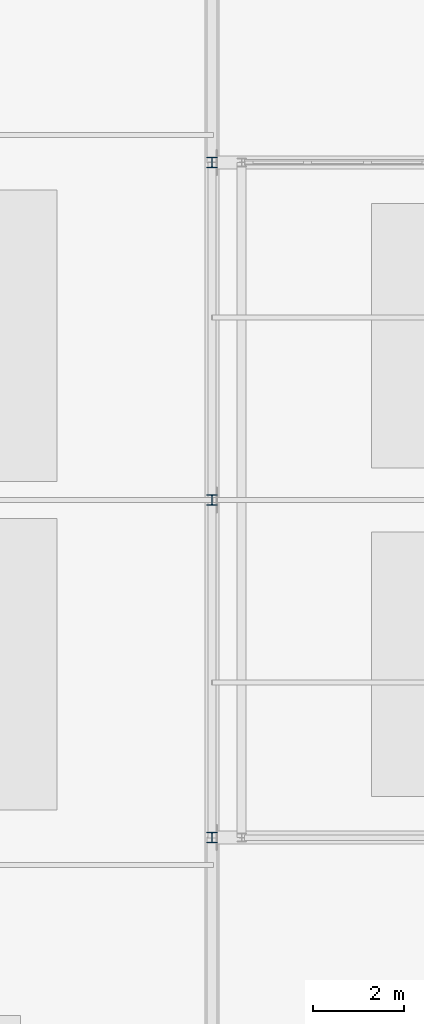
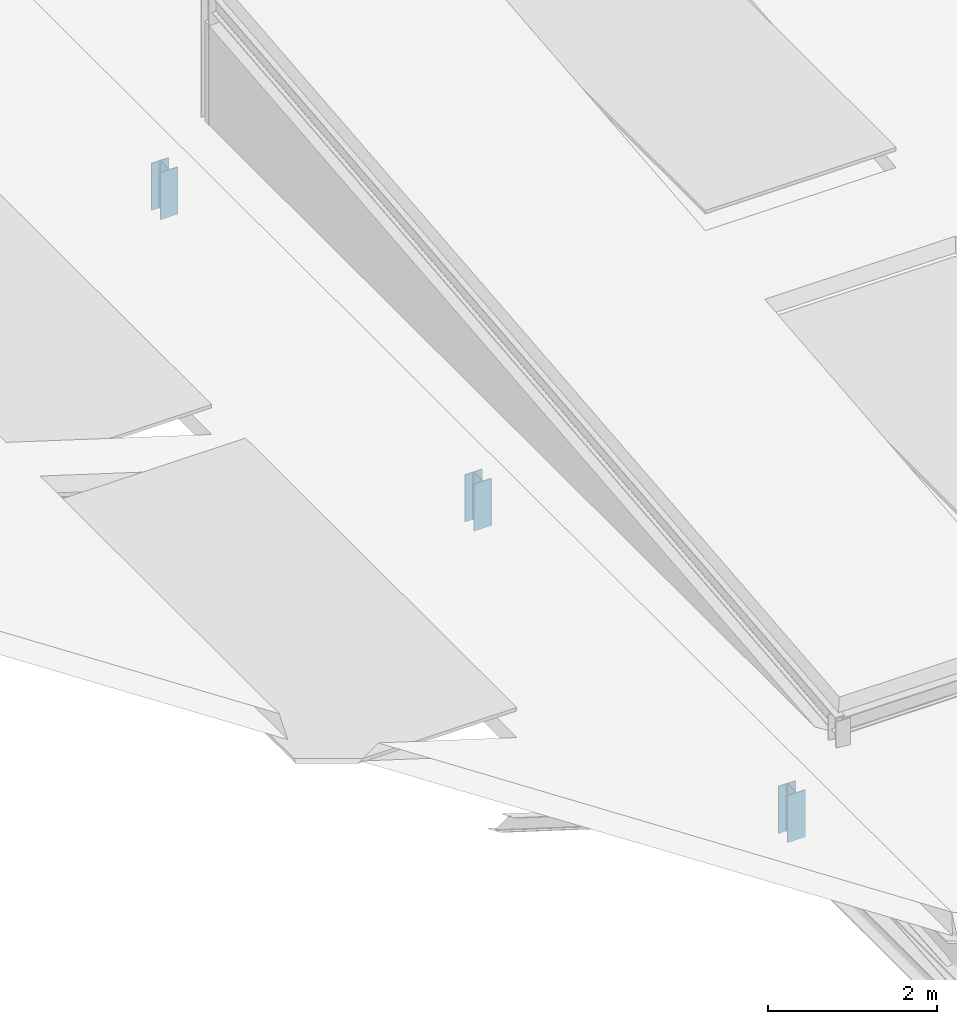
# One storey, part 25 of 30: 3 members.
"""IFC4 building model written with IfcOpenShell, lengths in metres."""

import ifcopenshell
import ifcopenshell.guid

model = None  # the IFC model being written
_history = None  # IfcOwnerHistory: only IFC2X3 demands one
_inside = {}  # id of a spatial element -> (the spatial element, [elements in it])
_under = {}  # id of a project, library or spatial element -> (it, [spatial elements below it])
_declared = {}  # id of a project -> (the project, [libraries it declares])
_typed = {}  # id of a type object -> (the type object, [elements of that type])
_made_of = {}  # id of a material, layer set ... -> (it, [elements and type objects made of it])


def new_model(schema):
    """Start an empty IFC model of exactly this schema.

    Asked for "IFC4X3", IfcOpenShell would pick the latest addendum, in which some entities
    have other attributes; the version numbers below select the first issue.
    IFC2X3 requires an IfcOwnerHistory on every rooted entity: one is made here for all.
    """
    global model, _history
    if schema == "IFC4X3":
        model = ifcopenshell.file(schema_version=(4, 3, 0, 0))
    else:
        model = ifcopenshell.file(schema=schema)
    _inside.clear()
    _under.clear()
    _declared.clear()
    _typed.clear()
    _made_of.clear()
    _history = None
    if model.schema == "IFC2X3":
        org = make("IfcOrganization", Name="unknown")
        user = make(
            "IfcPersonAndOrganization",
            ThePerson=make("IfcPerson", FamilyName="unknown"),
            TheOrganization=org,
        )
        app = make(
            "IfcApplication",
            ApplicationDeveloper=org,
            Version="unknown",
            ApplicationFullName="unknown",
            ApplicationIdentifier="unknown",
        )
        _history = make(
            "IfcOwnerHistory",
            OwningUser=user,
            OwningApplication=app,
            ChangeAction="ADDED",
            CreationDate=0,
        )
    return model


def make(cls, **values):
    """One entity of the class cls with the attributes given. An attribute that is None is left unset."""
    return model.create_entity(
        cls, **{name: value for name, value in values.items() if value is not None}
    )


def rooted(cls, **values):
    """An entity with a GlobalId (a new one), such as an element, a storey or a relation."""
    return make(cls, GlobalId=ifcopenshell.guid.new(), OwnerHistory=_history, **values)


def si_unit(unit_type, name, prefix=None):
    """IfcSIUnit, for example si_unit("LENGTHUNIT", "METRE", prefix="MILLI")."""
    return make("IfcSIUnit", UnitType=unit_type, Prefix=prefix, Name=name)


def assignment(units):
    """IfcUnitAssignment: the units of a project."""
    return None if units is None else make("IfcUnitAssignment", Units=units)


def point(xyz):
    """IfcCartesianPoint."""
    return None if xyz is None else make("IfcCartesianPoint", Coordinates=xyz)


def direction(xyz):
    """IfcDirection."""
    return None if xyz is None else make("IfcDirection", DirectionRatios=xyz)


def frame(location, z_axis=None, x_axis=None):
    """IfcAxis2Placement3D, a coordinate frame: its origin and axes. An axis left out is left unset."""
    return make(
        "IfcAxis2Placement3D",
        Location=point(location),
        Axis=direction(z_axis),
        RefDirection=direction(x_axis),
    )


def frame_2d(location, x_axis=None):
    """IfcAxis2Placement2D, a coordinate frame in the plane: its origin and x axis."""
    return make(
        "IfcAxis2Placement2D", Location=point(location), RefDirection=direction(x_axis)
    )


def origin():
    """The frame at (0, 0, 0) with its axes left unset."""
    return frame((0.0, 0.0, 0.0))


def origin_2d():
    """The frame at (0, 0) in the plane with its x axis left unset."""
    return frame_2d((0.0, 0.0))


def place(relative_to, where):
    """IfcLocalPlacement: puts the frame where relative to a parent placement (None: the world)."""
    return make(
        "IfcLocalPlacement", PlacementRelTo=relative_to, RelativePlacement=where
    )


def context(
    kind, dimensions, precision=None, world=None, true_north=None, identifier=None
):
    """IfcGeometricRepresentationContext, for example the 3D "Model" context."""
    return make(
        "IfcGeometricRepresentationContext",
        ContextIdentifier=identifier,
        ContextType=kind,
        CoordinateSpaceDimension=dimensions,
        Precision=precision,
        WorldCoordinateSystem=world,
        TrueNorth=true_north,
    )


def subcontext(parent, identifier, kind, view, scale=None):
    """IfcGeometricRepresentationSubContext, for example "Body" below "Model"."""
    return make(
        "IfcGeometricRepresentationSubContext",
        ContextIdentifier=identifier,
        ContextType=kind,
        ParentContext=parent,
        TargetScale=scale,
        TargetView=view,
    )


def project(units=None, contexts=None):
    """IfcProject with its units and contexts."""
    return rooted(
        "IfcProject",
        Name="project",
        RepresentationContexts=contexts,
        UnitsInContext=assignment(units),
    )


def spatial(cls, under=None, at=None, **own):
    """A site, building, storey or space (cls), placed at a placement, below another one or the project."""
    s = rooted(cls, ObjectPlacement=at, **own)
    if under is not None:
        _under.setdefault(under.id(), (under, []))[1].append(s)
    return s


def profile(cls, at=None, kind="AREA", **sizes):
    """A parametric profile (cls). Its sizes go by their IFC names, for example OverallWidth=200.0."""
    return make(cls, ProfileType=kind, Position=at, **sizes)


def i_section(**sizes):
    """IfcIShapeProfileDef."""
    return profile("IfcIShapeProfileDef", **sizes)


def extrude(swept, where, along, depth):
    """IfcExtrudedAreaSolid: the profile swept, set in the frame where, extruded along a direction by depth."""
    return make(
        "IfcExtrudedAreaSolid",
        SweptArea=swept,
        Position=where,
        ExtrudedDirection=direction(along),
        Depth=depth,
    )


def shape(context_of_items, identifier, shape_type, items):
    """IfcShapeRepresentation: the items that make up one representation, for example the "Body"."""
    return make(
        "IfcShapeRepresentation",
        ContextOfItems=context_of_items,
        RepresentationIdentifier=identifier,
        RepresentationType=shape_type,
        Items=items,
    )


def material(Name=None, Category=None):
    """IfcMaterial."""
    return make("IfcMaterial", Name=Name, Category=Category)


def material_profile(
    of_material, cross_section, Name=None, Category=None, Priority=None
):
    """IfcMaterialProfile: a cross section and its material."""
    return make(
        "IfcMaterialProfile",
        Name=Name,
        Material=of_material,
        Profile=cross_section,
        Priority=Priority,
        Category=Category,
    )


def profile_set(profiles, Name=None, composite=None):
    """IfcMaterialProfileSet."""
    return make(
        "IfcMaterialProfileSet",
        Name=Name,
        MaterialProfiles=profiles,
        CompositeProfile=composite,
    )


def made_of(thing, what):
    """Note that an element or type object is made of a material, layer set ...; save() writes the relation."""
    if what is not None:
        _made_of.setdefault(what.id(), (what, []))[1].append(thing)
    return thing


def type_object(cls, material=None, **own):
    """A type object (cls), such as IfcWallType, which elements share."""
    return made_of(rooted(cls, **own), material)


def element(
    cls,
    number,
    at=None,
    inside=None,
    cuts=None,
    type_object=None,
    material=None,
    context=None,
    identifier="Body",
    shape_type=None,
    held_by="IfcProductDefinitionShape",
    body=None,
    shapes=None,
    **own,
):
    """One element of the class cls, such as IfcWall. Its Tag is "e" and its number.

    at: its placement. inside: the storey or other place that contains it. cuts: it is an
    opening in that element (IfcRelVoidsElement). A single representation is given by context,
    identifier, shape_type and body (its items); several are given by shapes. held_by: the class
    of the entity that holds the representations. save() writes the other relations.
    """
    e = rooted(cls, Tag="e%d" % number, ObjectPlacement=at, **own)
    if body is not None:
        shapes = [shape(context, identifier, shape_type, body)]
    if shapes is not None:
        e.Representation = make(held_by, Representations=shapes)
    if inside is not None:
        _inside.setdefault(inside.id(), (inside, []))[1].append(e)
    if cuts is not None:
        rooted(
            "IfcRelVoidsElement", RelatingBuildingElement=cuts, RelatedOpeningElement=e
        )
    if type_object is not None:
        _typed.setdefault(type_object.id(), (type_object, []))[1].append(e)
    return made_of(e, material)


def aggregate(whole, parts):
    """IfcRelAggregates: a whole, such as a stair, and the parts it consists of."""
    return rooted("IfcRelAggregates", RelatingObject=whole, RelatedObjects=parts)


def save(model, path):
    """Write the relations noted so far, then the file.

    IfcRelAggregates (storeys below a building ...), IfcRelContainedInSpatialStructure (elements
    in a storey), IfcRelDefinesByType, IfcRelAssociatesMaterial and IfcRelDeclares: one each for
    every whole, place, type object, material and project.
    """
    for whole, parts in _under.values():
        aggregate(whole, parts)
    for where, things in _inside.values():
        rooted(
            "IfcRelContainedInSpatialStructure",
            RelatedElements=things,
            RelatingStructure=where,
        )
    for kind, things in _typed.values():
        rooted("IfcRelDefinesByType", RelatedObjects=things, RelatingType=kind)
    for what, things in _made_of.values():
        rooted("IfcRelAssociatesMaterial", RelatedObjects=things, RelatingMaterial=what)
    for by, libraries in _declared.values():
        rooted("IfcRelDeclares", RelatingContext=by, RelatedDefinitions=libraries)
    model.write(path)


model = new_model("IFC4")

# Units and contexts
model_context = context("Model", 3, precision=1e-05, world=origin(), true_north=direction((0.0, 1.0)))
body_context = subcontext(model_context, "Body", "Model", "MODEL_VIEW")
ifc_project = project(units=[si_unit("LENGTHUNIT", "METRE"), si_unit("AREAUNIT", "SQUARE_METRE"), si_unit("VOLUMEUNIT", "CUBIC_METRE"), si_unit("PLANEANGLEUNIT", "RADIAN"), si_unit("MASSUNIT", "GRAM", prefix="KILO")], contexts=[model_context])

# Site, building, storey
site_placement = place(None, origin())
site = spatial("IfcSite", under=ifc_project, at=site_placement, CompositionType="ELEMENT")
building_placement = place(site_placement, origin())
building = spatial("IfcBuilding", under=site, at=building_placement, Name="Alderhovde Museum", CompositionType="ELEMENT")
storey_placement = place(building_placement, frame((0.0, 0.0, 30.699951171875)))
storey = spatial("IfcBuildingStorey", under=building, at=storey_placement, Name="RF", CompositionType="ELEMENT", Elevation=30.699951171875)

# Members
ifc_material = material(Name="Steel S355J2", Category="steel")
ifc_material_profile = material_profile(ifc_material, i_section(OverallWidth=0.239990234375, OverallDepth=0.22998046875, WebThickness=0.007568359375, FlangeThickness=0.011962890625, FilletRadius=0.02099609375, at=origin_2d()), Name="HEA 240")
ifc_profile_set = profile_set([ifc_material_profile], Name="Steel S355J2")
member_type = type_object("IfcMemberType", Name="TR-PS-HEA240", PredefinedType="POST", material=ifc_profile_set)
for number, where, z_axis, x_axis, name in (
    (1, (19.199951171875, 56.60009765625, -2.449951171875), (0.0, 0.0, 1.0), (1.0, 0.0, 0.0), "Sawtooth Roof Truss X=19.2 Web Post 1"),
    (2, (19.199951171875, 64.0, -2.449951171875), (0.0, 0.0, 1.0), (1.0, 0.0, 0.0), "Sawtooth Roof Truss X=19.2 Web Post 2"),
    (3, (19.199951171875, 71.39990234375, -2.449951171875), (0.0, 0.0, 1.0), (1.0, 0.0, 0.0), "Sawtooth Roof Truss X=19.2 Web Post 3"),
):
    element("IfcMember", number, at=place(storey_placement, frame(where, z_axis=z_axis, x_axis=x_axis)), inside=storey, type_object=member_type, Name=name, PredefinedType="POST", context=body_context, shape_type="SweptSolid", body=[
        extrude(i_section(OverallWidth=0.239990234375, OverallDepth=0.22998046875, WebThickness=0.007568359375, FlangeThickness=0.011962890625, FilletRadius=0.02099609375, at=origin_2d()), origin(), (0.0, 0.0, 1.0), 0.679931640625),
    ])

save(model, "model.ifc")
